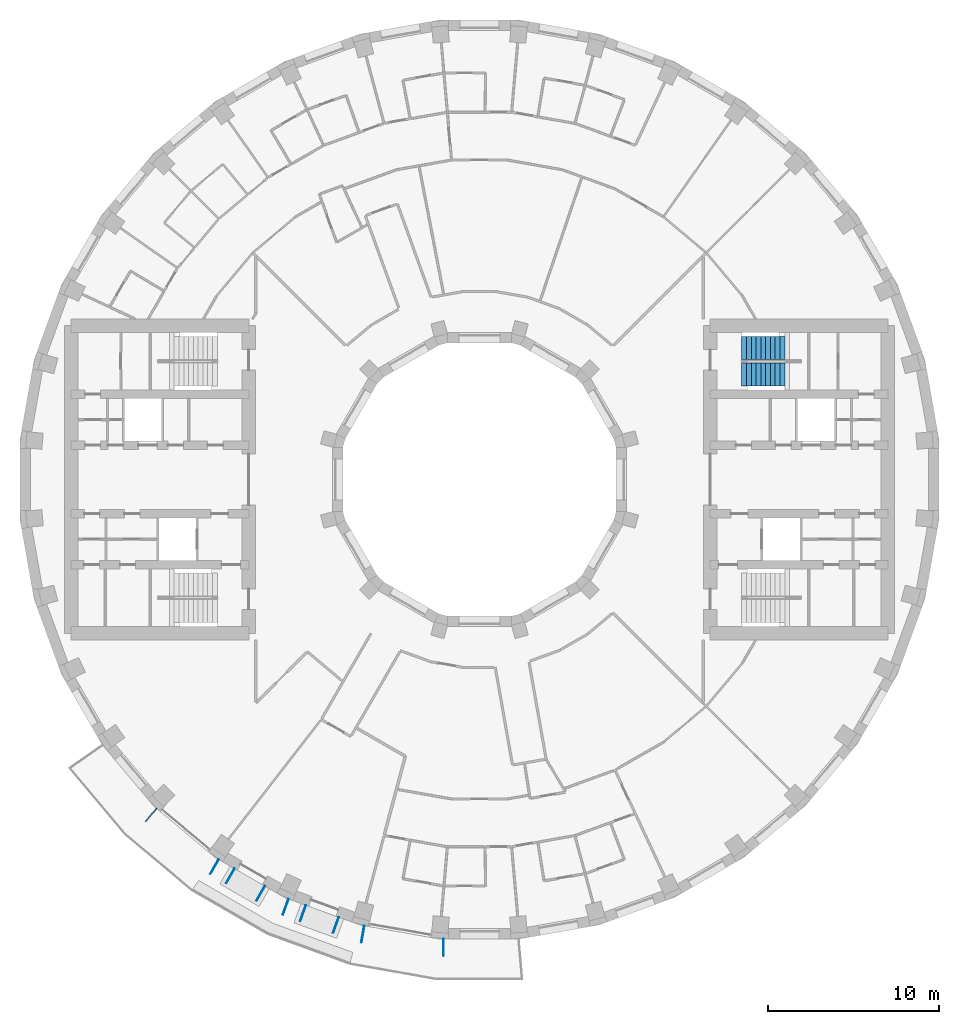
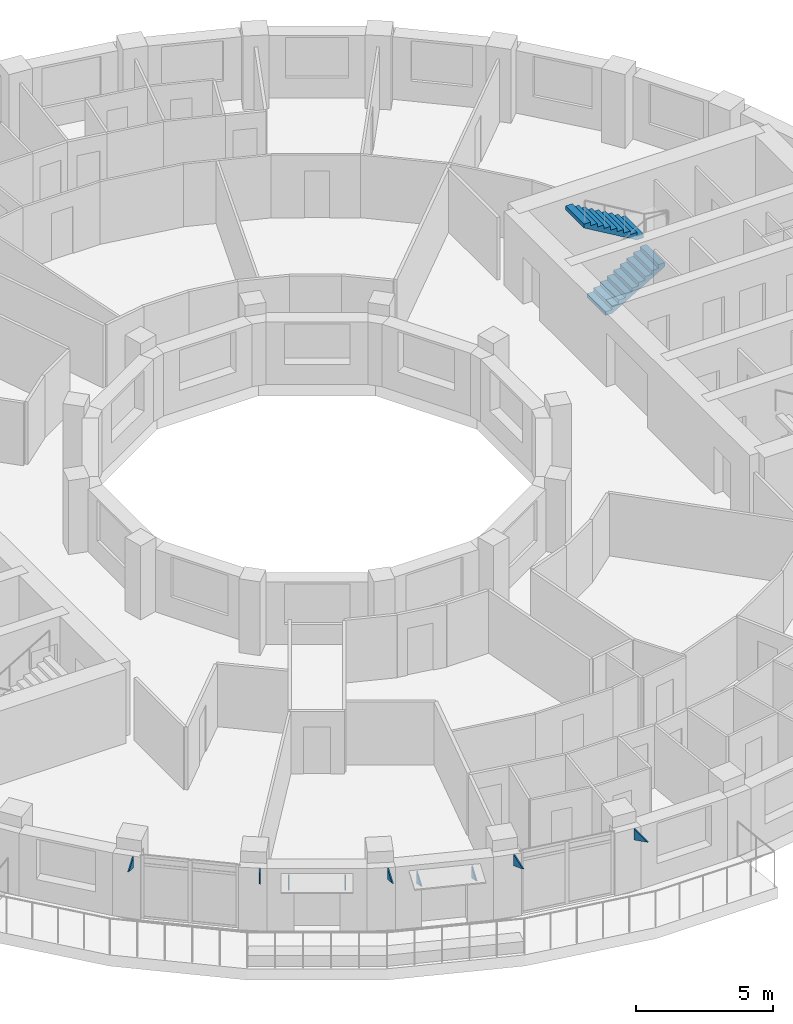
# One storey, part 13 of 14: 9 discrete accessories, 2 stair flights, 1 element without a shape of its own.
"""IFC4 building model written with IfcOpenShell, lengths in metres."""

from ifc_helpers import new_model, si_unit, direction, frame, origin, place, context, subcontext, project, spatial, polyline, outline, extrude, material, layer, layer_set, type_object, element, aggregate, save


model = new_model("IFC4")

# Units and contexts
model_context = context("Model", 3, precision=1e-05, world=origin(), true_north=direction((0.0, 1.0)))
body_context = subcontext(model_context, "Body", "Model", "MODEL_VIEW")
ifc_project = project(units=[si_unit("LENGTHUNIT", "METRE"), si_unit("AREAUNIT", "SQUARE_METRE"), si_unit("VOLUMEUNIT", "CUBIC_METRE"), si_unit("PLANEANGLEUNIT", "RADIAN"), si_unit("MASSUNIT", "GRAM", prefix="KILO")], contexts=[model_context])

# Site, building, storey
site_placement = place(None, origin())
site = spatial("IfcSite", under=ifc_project, at=site_placement, CompositionType="ELEMENT")
building_placement = place(site_placement, origin())
building = spatial("IfcBuilding", under=site, at=building_placement, Name="Saqina Gate Tower", CompositionType="ELEMENT")
storey_placement = place(building_placement, frame((0.0, 0.0, 134.800048828125)))
storey = spatial("IfcBuildingStorey", under=building, at=storey_placement, Name="L38", CompositionType="ELEMENT", Elevation=134.800048828125)

# Stair, stair flights
ifc_material_1 = material(Name="Concrete C40/50", Category="concrete")
stair_type = type_object("IfcStairType", Name="EXIT STAIR", PredefinedType="HALF_TURN_STAIR", material=ifc_material_1)
stair_placement = place(storey_placement, origin())
stair = element("IfcStair", 1, at=stair_placement, inside=storey, type_object=stair_type, Name="EXIT STAIR 1", PredefinedType="HALF_TURN_STAIR")
ifc_material_2 = material(Name="Concrete C40/50", Category="concrete")
stair_flight_type = type_object("IfcStairFlightType", Name="EXIT STAIR FLIGHT", PredefinedType="STRAIGHT", material=ifc_material_2)
stair_flight_1_placement = place(storey_placement, frame((15.35009765625, 6.1416015625, 0.0), z_axis=(0.0, 0.0, 1.0), x_axis=(1.0, 0.0, 0.0)))
stair_flight_1 = element("IfcStairFlight", 2, at=stair_flight_1_placement, type_object=stair_flight_type, Name="EXIT STAIR 1 FLIGHT 1", NumberOfRisers=10, NumberOfTreads=9, PredefinedType="STRAIGHT", RiserHeight=0.165, TreadLength=0.28, context=body_context, shape_type="SweptSolid", body=[
    extrude(outline(polyline([(0.0, 0.0), (0.0, 0.1650390625), (0.280029296875, 0.1650390625), (0.280029296875, 0.330078125), (0.56005859375, 0.330078125), (0.56005859375, 0.4951171875), (0.840087890625, 0.4951171875), (0.840087890625, 0.659912109375), (1.1201171875, 0.659912109375), (1.1201171875, 0.824951171875), (1.39990234375, 0.824951171875), (1.39990234375, 0.989990234375), (1.679931640625, 0.989990234375), (1.679931640625, 1.155029296875), (1.9599609375, 1.155029296875), (1.9599609375, 1.320068359375), (2.239990234375, 1.320068359375), (2.239990234375, 1.485107421875), (2.52001953125, 1.485107421875), (2.52001953125, 1.64990234375), (2.52001953125, 1.31103515625), (0.295166015625, 0.0), (0.0, 0.0)])), frame((0.0, 0.675048828125, 0.0), z_axis=(0.0, -1.0, 0.0), x_axis=(1.0, 0.0, 0.0)), (0.0, 0.0, 1.0), 1.35009765625),
])
stair_flight_2_placement = place(storey_placement, frame((17.8701171875, 7.708251953125, 1.64990234375), z_axis=(0.0, 0.0, 1.0), x_axis=(-1.0, 0.0, 0.0)))
stair_flight_2 = element("IfcStairFlight", 3, at=stair_flight_2_placement, type_object=stair_flight_type, Name="EXIT STAIR 1 FLIGHT 2", NumberOfRisers=10, NumberOfTreads=9, PredefinedType="STRAIGHT", RiserHeight=0.165, TreadLength=0.28, context=body_context, shape_type="SweptSolid", body=[
    extrude(outline(polyline([(0.0, 0.0), (0.0, 0.1650390625), (0.280029296875, 0.1650390625), (0.280029296875, 0.330078125), (0.56005859375, 0.330078125), (0.56005859375, 0.4951171875), (0.840087890625, 0.4951171875), (0.840087890625, 0.659912109375), (1.1201171875, 0.659912109375), (1.1201171875, 0.824951171875), (1.39990234375, 0.824951171875), (1.39990234375, 0.989990234375), (1.679931640625, 0.989990234375), (1.679931640625, 1.155029296875), (1.9599609375, 1.155029296875), (1.9599609375, 1.320068359375), (2.239990234375, 1.320068359375), (2.239990234375, 1.485107421875), (2.52001953125, 1.485107421875), (2.52001953125, 1.64990234375), (2.52001953125, 1.31103515625), (0.295166015625, 0.0), (0.0, 0.0)])), frame((0.0, 0.675048828125, 0.0), z_axis=(0.0, -1.0, 0.0), x_axis=(1.0, 0.0, 0.0)), (0.0, 0.0, 1.0), 1.35009765625),
])
aggregate(stair, [stair_flight_1, stair_flight_2])

# Discrete accessories
ifc_material_3 = material(Name="Galvanised steel", Category="steel")
ifc_layer_1 = layer(ifc_material_3, 0.050048828125)
ifc_layer_set_1 = layer_set([ifc_layer_1], Name="BR-AWNING")
discrete_accessory_type_1 = type_object("IfcDiscreteAccessoryType", Name="BR-AWNING", PredefinedType="BRACKET", material=ifc_layer_set_1)
discrete_accessory_1_placement = place(storey_placement, frame((-14.313720703125, -22.794189453125, 1.974853515625), z_axis=(0.866071776036, -0.499919672301, 0.0), x_axis=(0.0, 0.0, 1.0)))
element("IfcDiscreteAccessory", 4, at=discrete_accessory_1_placement, inside=storey, type_object=discrete_accessory_type_1, Name="Awning bracket L38 facet 24", PredefinedType="BRACKET", context=body_context, shape_type="SweptSolid", body=[
    extrude(outline(polyline([(0.0, 0.0), (0.550048828125, 0.0), (0.550048828125, 1.0001606812130883), (0.0, 0.0)])), origin(), (0.0, 0.0, -1.0), 0.050048828125),
])
discrete_accessory_2_placement = place(storey_placement, frame((-12.540283203125, -23.818115234375, 1.974853515625), z_axis=(0.866010750942, -0.50002537861, 0.0), x_axis=(0.0, 0.0, 1.0)))
element("IfcDiscreteAccessory", 5, at=discrete_accessory_2_placement, inside=storey, type_object=discrete_accessory_type_1, Name="Awning bracket L38 facet 24", PredefinedType="BRACKET", context=body_context, shape_type="SweptSolid", body=[
    extrude(outline(polyline([(0.0, 0.0), (0.550048828125, 0.0), (0.550048828125, 0.9999492453569568), (0.0, 0.0)])), origin(), (0.0, 0.0, -1.0), 0.050048828125),
])
discrete_accessory_3_placement = place(storey_placement, frame((-10.13818359375, -24.93359375, 1.974853515625), z_axis=(0.939764905391, -0.341821477669, 0.0), x_axis=(0.0, 0.0, 1.0)))
element("IfcDiscreteAccessory", 6, at=discrete_accessory_3_placement, inside=storey, type_object=discrete_accessory_type_1, Name="Awning bracket L38 facet 25", PredefinedType="BRACKET", context=body_context, shape_type="SweptSolid", body=[
    extrude(outline(polyline([(0.0, 0.0), (0.550048828125, 0.0), (0.550048828125, 0.9999280248012192), (0.0, 0.0)])), origin(), (0.0, 0.0, -1.0), 0.050048828125),
])
discrete_accessory_4_placement = place(storey_placement, frame((-8.2138671875, -25.6337890625, 1.974853515625), z_axis=(0.939686455819, -0.342037080957, 0.0), x_axis=(0.0, 0.0, 1.0)))
element("IfcDiscreteAccessory", 7, at=discrete_accessory_4_placement, inside=storey, type_object=discrete_accessory_type_1, Name="Awning bracket L38 facet 25", PredefinedType="BRACKET", context=body_context, shape_type="SweptSolid", body=[
    extrude(outline(polyline([(0.0, 0.0), (0.550048828125, 0.0), (0.550048828125, 1.000011503630275), (0.0, 0.0)])), origin(), (0.0, 0.0, -1.0), 0.050048828125),
])
ifc_material_4 = material(Name="Galvanised steel", Category="steel")
ifc_layer_2 = layer(ifc_material_4, 0.050048828125)
ifc_layer_set_2 = layer_set([ifc_layer_2], Name="BR-GUSSET")
discrete_accessory_type_2 = type_object("IfcDiscreteAccessoryType", Name="BR-GUSSET", PredefinedType="BRACKET", material=ifc_layer_set_2)
discrete_accessory_5_placement = place(storey_placement, frame((-18.881103515625, -19.2685546875, 2.300048828125), z_axis=(0.766055819685, -0.64277405138, 0.0), x_axis=(0.0, 0.0, 1.0)))
element("IfcDiscreteAccessory", 8, at=discrete_accessory_5_placement, inside=storey, type_object=discrete_accessory_type_2, Name="Terrace slab bracket L39 1", PredefinedType="BRACKET", context=body_context, shape_type="SweptSolid", body=[
    extrude(outline(polyline([(0.0, 0.0), (0.5, 0.0), (0.5, 1.0000750096322275), (0.0, 0.0)])), origin(), (0.0, 0.0, -1.0), 0.050048828125),
])
discrete_accessory_6_placement = place(storey_placement, frame((-15.248291015625, -22.254638671875, 2.300048828125), z_axis=(0.866010750942, -0.50002537861, 0.0), x_axis=(0.0, 0.0, 1.0)))
element("IfcDiscreteAccessory", 9, at=discrete_accessory_6_placement, inside=storey, type_object=discrete_accessory_type_2, Name="Terrace slab bracket L39 2", PredefinedType="BRACKET", context=body_context, shape_type="SweptSolid", body=[
    extrude(outline(polyline([(0.0, 0.0), (0.5, 0.0), (0.5, 0.9999492453569568), (0.0, 0.0)])), origin(), (0.0, 0.0, -1.0), 0.050048828125),
])
discrete_accessory_7_placement = place(storey_placement, frame((-11.15234375, -24.564453125, 2.300048828125), z_axis=(0.939686455819, -0.342037080957, 0.0), x_axis=(0.0, 0.0, 1.0)))
element("IfcDiscreteAccessory", 10, at=discrete_accessory_7_placement, inside=storey, type_object=discrete_accessory_type_2, Name="Terrace slab bracket L39 3", PredefinedType="BRACKET", context=body_context, shape_type="SweptSolid", body=[
    extrude(outline(polyline([(0.0, 0.0), (0.5, 0.0), (0.5, 1.000011503630275), (0.0, 0.0)])), origin(), (0.0, 0.0, -1.0), 0.050048828125),
])
discrete_accessory_8_placement = place(storey_placement, frame((-6.71728515625, -26.127685546875, 2.300048828125), z_axis=(0.984820401928, -0.173576426815, 0.0), x_axis=(0.0, 0.0, 1.0)))
element("IfcDiscreteAccessory", 11, at=discrete_accessory_8_placement, inside=storey, type_object=discrete_accessory_type_2, Name="Terrace slab bracket L39 4", PredefinedType="BRACKET", context=body_context, shape_type="SweptSolid", body=[
    extrude(outline(polyline([(0.0, 0.0), (0.5, 0.0), (0.5, 1.000043540245132), (0.0, 0.0)])), origin(), (0.0, 0.0, -1.0), 0.050048828125),
])
discrete_accessory_9_placement = place(storey_placement, frame((-2.078125, -26.897216796875, 2.300048828125), z_axis=(1.0, 0.0, 0.0), x_axis=(0.0, 0.0, 1.0)))
element("IfcDiscreteAccessory", 12, at=discrete_accessory_9_placement, inside=storey, type_object=discrete_accessory_type_2, Name="Terrace slab bracket L39 5", PredefinedType="BRACKET", context=body_context, shape_type="SweptSolid", body=[
    extrude(outline(polyline([(0.0, 0.0), (0.5, 0.0), (0.5, 1.0), (0.0, 0.0)])), origin(), (0.0, 0.0, -1.0), 0.050048828125),
])

save(model, "model.ifc")
